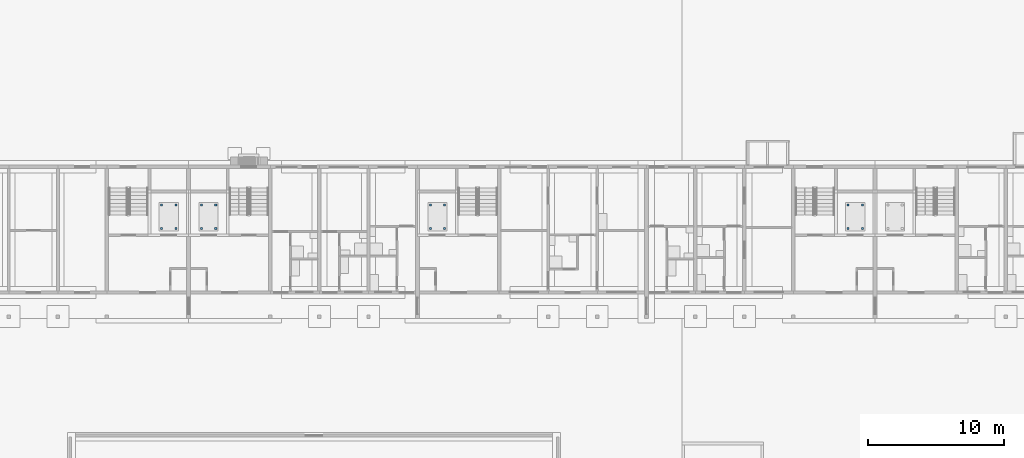
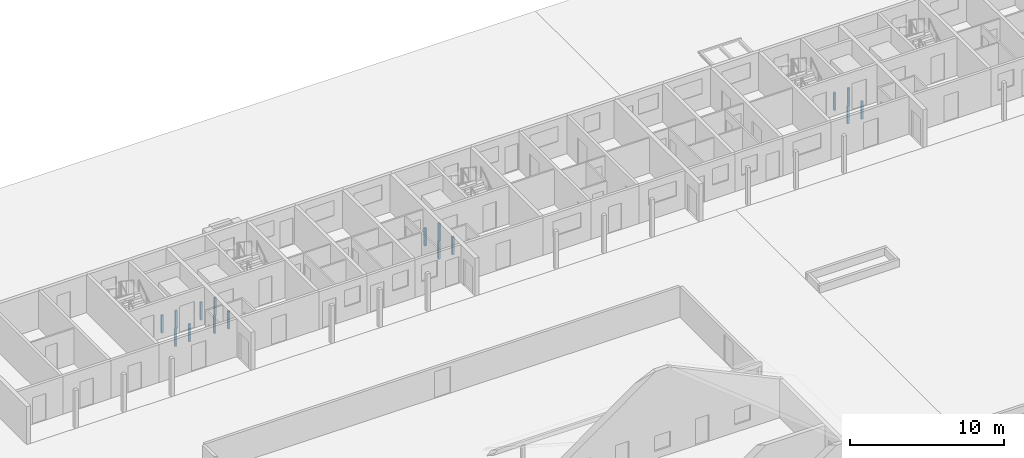
# One storey, part 77 of 112: 16 discrete accessories.
"""IFC4 building model written with IfcOpenShell, lengths in metres."""

from ifc_helpers import new_model, si_unit, direction, frame, origin, origin_2d, place, context, subcontext, project, spatial, rectangle, extrude, material, type_object, element, save


model = new_model("IFC4")

# Units and contexts
model_context = context("Model", 3, precision=1e-05, world=origin(), true_north=direction((0.0, 1.0)))
body_context = subcontext(model_context, "Body", "Model", "MODEL_VIEW")
ifc_project = project(units=[si_unit("LENGTHUNIT", "METRE"), si_unit("AREAUNIT", "SQUARE_METRE"), si_unit("VOLUMEUNIT", "CUBIC_METRE"), si_unit("PLANEANGLEUNIT", "RADIAN"), si_unit("MASSUNIT", "GRAM", prefix="KILO")], contexts=[model_context])

# Site, building, storey
site_placement = place(None, origin())
site = spatial("IfcSite", under=ifc_project, at=site_placement, CompositionType="ELEMENT")
building_placement = place(site_placement, origin())
building = spatial("IfcBuilding", under=site, at=building_placement, Name="Ridgestep Commons", CompositionType="ELEMENT")
storey_placement = place(building_placement, origin())
storey = spatial("IfcBuildingStorey", under=building, at=storey_placement, Name="L00", CompositionType="ELEMENT", Elevation=0.0)

# Discrete accessories
ifc_material = material(Name="Structural steel S355JR", Category="steel")
discrete_accessory_type = type_object("IfcDiscreteAccessoryType", Name="Lift buffer stand 150 x 150", PredefinedType="BRACKET", material=ifc_material)
for number, where, z_axis, x_axis, name in (
    (1, (26.8125, 72.574951171875, -1.39990234375), (0.0, 0.0, 1.0), (1.0, 0.0, 0.0), "Lift buffer stand B1C 1"),
    (2, (27.862548828125, 72.574951171875, -1.39990234375), (0.0, 0.0, 1.0), (1.0, 0.0, 0.0), "Lift buffer stand B1C 2"),
    (3, (26.8125, 74.324951171875, -1.39990234375), (0.0, 0.0, 1.0), (1.0, 0.0, 0.0), "Lift buffer stand B1C 3"),
    (4, (27.862548828125, 74.324951171875, -1.39990234375), (0.0, 0.0, 1.0), (1.0, 0.0, 0.0), "Lift buffer stand B1C 4"),
    (5, (29.737548828125, 72.574951171875, -1.39990234375), (0.0, 0.0, 1.0), (1.0, 0.0, 0.0), "Lift buffer stand B2C 1"),
    (6, (30.78759765625, 72.574951171875, -1.39990234375), (0.0, 0.0, 1.0), (1.0, 0.0, 0.0), "Lift buffer stand B2C 2"),
    (7, (29.737548828125, 74.324951171875, -1.39990234375), (0.0, 0.0, 1.0), (1.0, 0.0, 0.0), "Lift buffer stand B2C 3"),
    (8, (30.78759765625, 74.324951171875, -1.39990234375), (0.0, 0.0, 1.0), (1.0, 0.0, 0.0), "Lift buffer stand B2C 4"),
    (9, (46.53759765625, 72.574951171875, -1.39990234375), (0.0, 0.0, 1.0), (1.0, 0.0, 0.0), "Lift buffer stand B3C 1"),
    (10, (47.58740234375, 72.574951171875, -1.39990234375), (0.0, 0.0, 1.0), (1.0, 0.0, 0.0), "Lift buffer stand B3C 2"),
    (11, (46.53759765625, 74.324951171875, -1.39990234375), (0.0, 0.0, 1.0), (1.0, 0.0, 0.0), "Lift buffer stand B3C 3"),
    (12, (47.58740234375, 74.324951171875, -1.39990234375), (0.0, 0.0, 1.0), (1.0, 0.0, 0.0), "Lift buffer stand B3C 4"),
    (13, (77.21240234375, 72.574951171875, -1.39990234375), (0.0, 0.0, 1.0), (1.0, 0.0, 0.0), "Lift buffer stand B4C 1"),
    (14, (78.262451171875, 72.574951171875, -1.39990234375), (0.0, 0.0, 1.0), (1.0, 0.0, 0.0), "Lift buffer stand B4C 2"),
    (15, (77.21240234375, 74.324951171875, -1.39990234375), (0.0, 0.0, 1.0), (1.0, 0.0, 0.0), "Lift buffer stand B4C 3"),
    (16, (78.262451171875, 74.324951171875, -1.39990234375), (0.0, 0.0, 1.0), (1.0, 0.0, 0.0), "Lift buffer stand B4C 4"),
):
    element("IfcDiscreteAccessory", number, at=place(storey_placement, frame(where, z_axis=z_axis, x_axis=x_axis)), inside=storey, type_object=discrete_accessory_type, Name=name, PredefinedType="BRACKET", context=body_context, shape_type="SweptSolid", body=[
        extrude(rectangle(XDim=0.14990234375, YDim=0.14990234375, at=origin_2d()), origin(), (0.0, 0.0, 1.0), 1.39990234375),
    ])

save(model, "model.ifc")
